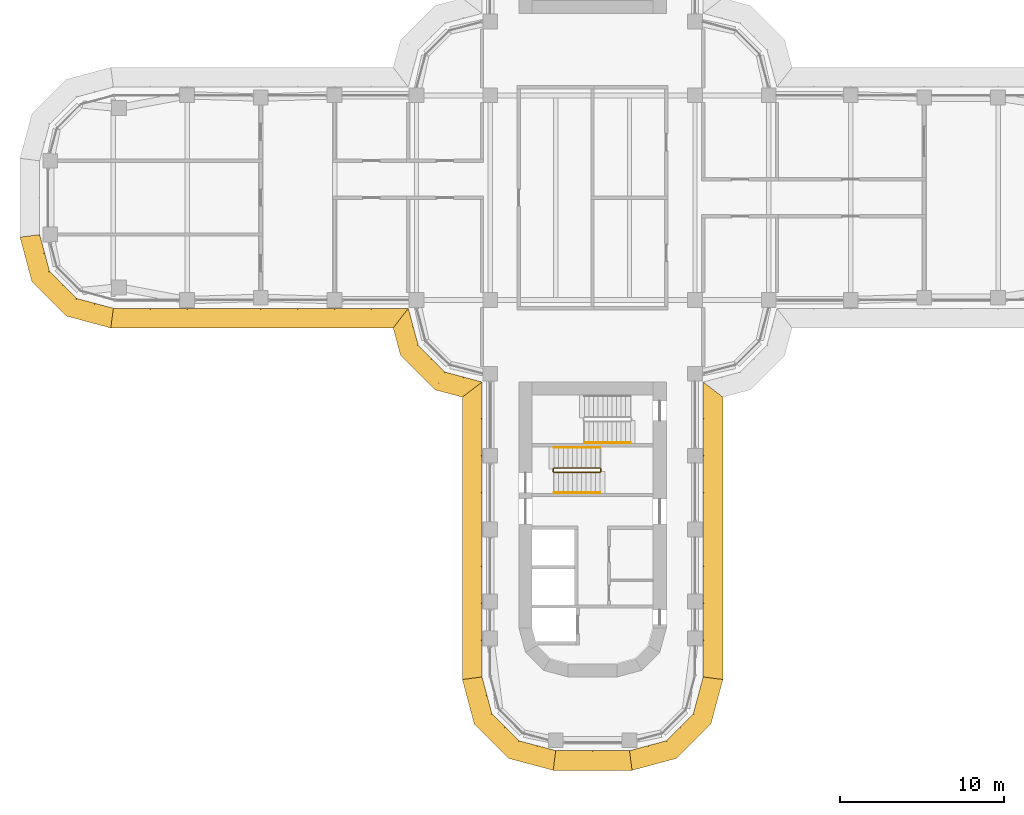
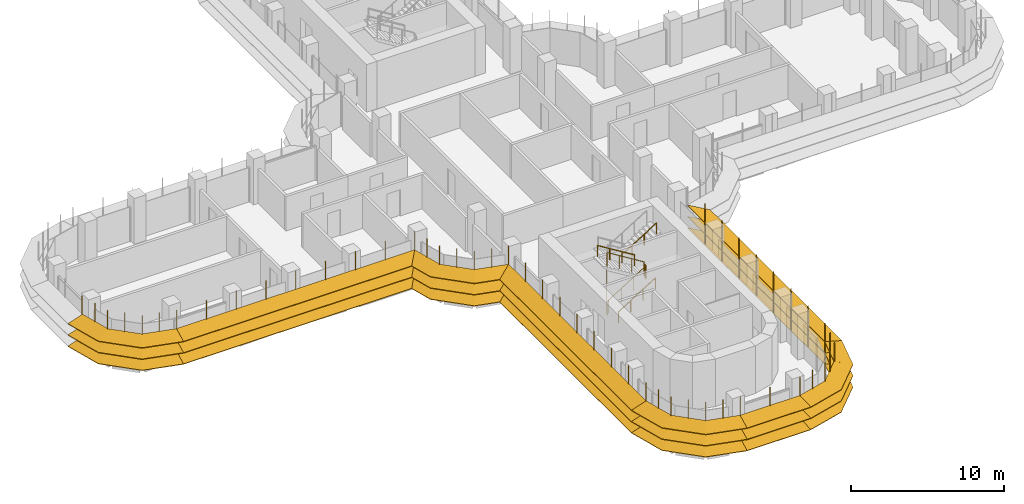
# One storey, part 19 of 22: 8 shading devices, 4 railings.
"""IFC4 building model written with IfcOpenShell, lengths in metres."""

from ifc_helpers import new_model, si_unit, direction, frame, origin, origin_2d, place, context, subcontext, project, spatial, polyline, circle, outline, extrude, faceted_brep, source, transform, mapped, material, type_object, element, save


model = new_model("IFC4")

# Units and contexts
model_context = context("Model", 3, precision=1e-05, world=origin(), true_north=direction((0.0, 1.0)))
body_context = subcontext(model_context, "Body", "Model", "MODEL_VIEW")
ifc_project = project(units=[si_unit("LENGTHUNIT", "METRE"), si_unit("AREAUNIT", "SQUARE_METRE"), si_unit("VOLUMEUNIT", "CUBIC_METRE"), si_unit("PLANEANGLEUNIT", "RADIAN"), si_unit("MASSUNIT", "GRAM", prefix="KILO")], contexts=[model_context])

# Site, building, storey
site_placement = place(None, origin())
site = spatial("IfcSite", under=ifc_project, at=site_placement, CompositionType="ELEMENT")
building_placement = place(site_placement, origin())
building = spatial("IfcBuilding", under=site, at=building_placement, Name="Zarbagh Exchange Tower", CompositionType="ELEMENT")
storey_placement = place(building_placement, frame((0.0, 0.0, 105.60009765625)))
storey = spatial("IfcBuildingStorey", under=building, at=storey_placement, Name="L24", CompositionType="ELEMENT", Elevation=105.60009765625)

# Railings
ifc_material_1 = material(Name="Stainless steel", Category="steel")
railing_type_1 = type_object("IfcRailingType", Name="Stair guard 1100 mm", PredefinedType="GUARDRAIL", material=ifc_material_1)
railing_1_placement = place(storey_placement, frame((0.449951171875, -16.5, 2.072509765625)))
element("IfcRailing", 1, at=railing_1_placement, inside=storey, type_object=railing_type_1, Name="ST3 stair guard 1", PredefinedType="GUARDRAIL", context=body_context, shape_type="SweptSolid", body=[
    extrude(circle(Radius=0.02392578125, at=origin_2d()), frame((0.0, 0.0, 1.076171875), z_axis=(-0.851089632645, 0.0, 0.525020415988), x_axis=(0.0, -1.0, 0.0)), (0.0, 0.0, 1.0), 3.2900390625),
    extrude(circle(Radius=0.02392578125, at=origin_2d()), frame((-2.800048828125, 0.0, 2.80322265625), z_axis=(-0.013104908129, -0.013169147875, -0.999827402569), x_axis=(0.708833529934, -0.705375805398, 0.0)), (0.0, 0.0, 1.0), 3.800537109375),
    extrude(circle(Radius=0.02392578125, at=origin_2d()), frame((-2.849853515625, -0.050048828125, -0.99658203125), z_axis=(0.0, -1.0, 0.0), x_axis=(1.0, 0.0, 0.0)), (0.0, 0.0, 1.0), 0.14990234375),
    extrude(circle(Radius=0.02392578125, at=origin_2d()), frame((-2.849853515625, -0.199951171875, -0.99658203125), z_axis=(0.267062837333, -0.268371968888, 0.925556009775), x_axis=(0.708833529934, 0.705375805398, 0.0)), (0.0, 0.0, 1.0), 0.1865234375),
    extrude(circle(Radius=0.02392578125, at=origin_2d()), frame((-2.800048828125, -0.25, -0.82373046875), z_axis=(0.851089632645, 0.0, 0.525020415988), x_axis=(0.0, 1.0, 0.0)), (0.0, 0.0, 1.0), 3.2900390625),
    extrude(circle(Radius=0.02392578125, at=origin_2d()), frame((0.0, -0.25, 0.9033203125), z_axis=(0.707106781187, 0.707106781187, 0.0), x_axis=(-0.707106781187, 0.707106781187, 0.0)), (0.0, 0.0, 1.0), 0.07080078125),
    extrude(circle(Radius=0.02392578125, at=origin_2d()), frame((0.050048828125, -0.199951171875, 0.9033203125), z_axis=(0.0, 1.0, 0.0), x_axis=(-1.0, 0.0, 0.0)), (0.0, 0.0, 1.0), 0.14990234375),
    extrude(circle(Radius=0.02099609375, at=origin_2d()), origin(), (0.0, 0.0, 1.0), 1.052001953125),
    extrude(circle(Radius=0.02099609375, at=origin_2d()), frame((-0.933349609375, 0.0, 0.57568359375)), (0.0, 0.0, 1.0), 1.052001953125),
    extrude(circle(Radius=0.02099609375, at=origin_2d()), frame((-1.86669921875, 0.0, 1.151611328125)), (0.0, 0.0, 1.0), 1.052001953125),
    extrude(circle(Radius=0.02099609375, at=origin_2d()), frame((-2.800048828125, 0.0, 1.727294921875)), (0.0, 0.0, 1.0), 1.052001953125),
    extrude(circle(Radius=0.02099609375, at=origin_2d()), frame((-2.8125, -0.012451171875, 0.77734375)), (0.0, 0.0, 1.0), 1.052001953125),
    extrude(circle(Radius=0.02099609375, at=origin_2d()), frame((-2.824951171875, -0.02490234375, -0.172607421875)), (0.0, 0.0, 1.0), 1.052001953125),
    extrude(circle(Radius=0.02099609375, at=origin_2d()), frame((-2.83740234375, -0.03759765625, -1.12255859375)), (0.0, 0.0, 1.0), 1.052001953125),
    extrude(circle(Radius=0.02099609375, at=origin_2d()), frame((-2.849853515625, -0.050048828125, -2.072509765625)), (0.0, 0.0, 1.0), 1.052001953125),
    extrude(circle(Radius=0.02099609375, at=origin_2d()), frame((-2.849853515625, -0.199951171875, -2.072509765625)), (0.0, 0.0, 1.0), 1.052001953125),
    extrude(circle(Radius=0.02099609375, at=origin_2d()), frame((-2.800048828125, -0.25, -1.89990234375)), (0.0, 0.0, 1.0), 1.052001953125),
    extrude(circle(Radius=0.02099609375, at=origin_2d()), frame((-1.86669921875, -0.25, -1.32421875)), (0.0, 0.0, 1.0), 1.052001953125),
    extrude(circle(Radius=0.02099609375, at=origin_2d()), frame((-0.933349609375, -0.25, -0.748291015625)), (0.0, 0.0, 1.0), 1.052001953125),
    extrude(circle(Radius=0.02099609375, at=origin_2d()), frame((0.0, -0.25, -0.172607421875)), (0.0, 0.0, 1.0), 1.052001953125),
    extrude(circle(Radius=0.02099609375, at=origin_2d()), frame((0.050048828125, -0.199951171875, -0.172607421875)), (0.0, 0.0, 1.0), 1.052001953125),
    extrude(circle(Radius=0.02099609375, at=origin_2d()), frame((0.050048828125, -0.050048828125, -0.172607421875)), (0.0, 0.0, 1.0), 1.052001953125),
])
railing_type_2 = type_object("IfcRailingType", Name="Stair handrail 900 mm", PredefinedType="HANDRAIL", material=ifc_material_1)
railing_2_placement = place(storey_placement, frame((-2.35009765625, -18.0, 0.172607421875)))
element("IfcRailing", 2, at=railing_2_placement, inside=storey, type_object=railing_type_2, Name="ST3 stair handrail 1", PredefinedType="HANDRAIL", context=body_context, shape_type="SweptSolid", body=[
    extrude(circle(Radius=0.02392578125, at=origin_2d()), frame((0.0, 0.0, 0.8759765625), z_axis=(0.851089632645, 0.0, 0.525020415988), x_axis=(0.0, 1.0, 0.0)), (0.0, 0.0, 1.0), 3.2900390625),
    extrude(circle(Radius=0.02099609375, at=origin_2d()), origin(), (0.0, 0.0, 1.0), 0.851806640625),
    extrude(circle(Radius=0.02099609375, at=origin_2d()), frame((0.933349609375, 0.0, 0.57568359375)), (0.0, 0.0, 1.0), 0.851806640625),
    extrude(circle(Radius=0.02099609375, at=origin_2d()), frame((1.86669921875, 0.0, 1.151611328125)), (0.0, 0.0, 1.0), 0.851806640625),
    extrude(circle(Radius=0.02099609375, at=origin_2d()), frame((2.800048828125, 0.0, 1.727294921875)), (0.0, 0.0, 1.0), 0.851806640625),
])
railing_3_placement = place(storey_placement, frame((0.449951171875, -15.25, 2.072509765625)))
element("IfcRailing", 3, at=railing_3_placement, inside=storey, type_object=railing_type_2, Name="ST3 stair handrail 2", PredefinedType="HANDRAIL", context=body_context, shape_type="SweptSolid", body=[
    extrude(circle(Radius=0.02392578125, at=origin_2d()), frame((0.0, 0.0, 0.8759765625), z_axis=(-0.851089632645, 0.0, 0.525020415988), x_axis=(0.0, -1.0, 0.0)), (0.0, 0.0, 1.0), 3.2900390625),
    extrude(circle(Radius=0.02099609375, at=origin_2d()), origin(), (0.0, 0.0, 1.0), 0.851806640625),
    extrude(circle(Radius=0.02099609375, at=origin_2d()), frame((-0.933349609375, 0.0, 0.57568359375)), (0.0, 0.0, 1.0), 0.851806640625),
    extrude(circle(Radius=0.02099609375, at=origin_2d()), frame((-1.86669921875, 0.0, 1.151611328125)), (0.0, 0.0, 1.0), 0.851806640625),
    extrude(circle(Radius=0.02099609375, at=origin_2d()), frame((-2.800048828125, 0.0, 1.727294921875)), (0.0, 0.0, 1.0), 0.851806640625),
])
railing_4_placement = place(storey_placement, frame((-0.5, -14.949951171875, 2.072509765625)))
element("IfcRailing", 4, at=railing_4_placement, inside=storey, type_object=railing_type_2, Name="ST4 stair handrail 2", PredefinedType="HANDRAIL", context=body_context, shape_type="SweptSolid", body=[
    extrude(circle(Radius=0.02392578125, at=origin_2d()), frame((0.0, 0.0, 0.8759765625), z_axis=(0.851089632645, 0.0, 0.525020415988), x_axis=(0.0, 1.0, 0.0)), (0.0, 0.0, 1.0), 3.2900390625),
    extrude(circle(Radius=0.02099609375, at=origin_2d()), origin(), (0.0, 0.0, 1.0), 0.851806640625),
    extrude(circle(Radius=0.02099609375, at=origin_2d()), frame((0.933349609375, 0.0, 0.57568359375)), (0.0, 0.0, 1.0), 0.851806640625),
    extrude(circle(Radius=0.02099609375, at=origin_2d()), frame((1.86669921875, 0.0, 1.151611328125)), (0.0, 0.0, 1.0), 0.851806640625),
    extrude(circle(Radius=0.02099609375, at=origin_2d()), frame((2.800048828125, 0.0, 1.727294921875)), (0.0, 0.0, 1.0), 0.851806640625),
])

# Shading devices
ifc_material_2 = material(Name="Anodised aluminium blades and brackets", Category="aluminium")
shading_device_type = type_object("IfcShadingDeviceType", Name="SUNSHADE louvre band, 11.25 degree blades", PredefinedType="JALOUSIE", material=ifc_material_2)
shared_shape_1 = source(origin(), body_context, "Body", "Brep", [
    faceted_brep([(0.0, 0.0, 0.0), (0.0, 0.0, -0.040771484375), (-0.157958984375, -1.199951171875, -0.279541015625), (-0.157958984375, -1.199951171875, -0.23876953125), (2.65087890625, -1.199951171875, -0.23876953125), (2.65087890625, -1.199951171875, -0.279541015625), (2.329345703125, 0.0, -0.040771484375), (2.329345703125, 0.0, 0.0)], [[[0, 1, 2, 3]], [[4, 5, 6, 7]], [[0, 7, 6, 1]], [[1, 6, 5, 2]], [[2, 5, 4, 3]], [[3, 4, 7, 0]]]),
])
shared_shape_2 = source(origin(), body_context, "Body", "Brep", [
    faceted_brep([(0.0, 0.0, 0.0), (0.0, 0.0, -0.040771484375), (-0.321533203125, -1.199951171875, -0.279541015625), (-0.321533203125, -1.199951171875, -0.23876953125), (2.65087890625, -1.199951171875, -0.23876953125), (2.65087890625, -1.199951171875, -0.279541015625), (2.329345703125, 0.0, -0.040771484375), (2.329345703125, 0.0, 0.0)], [[[0, 1, 2, 3]], [[4, 5, 6, 7]], [[0, 7, 6, 1]], [[1, 6, 5, 2]], [[2, 5, 4, 3]], [[3, 4, 7, 0]]]),
])
shared_shape_3 = source(origin(), body_context, "Body", "Brep", [
    faceted_brep([(0.0, 0.0, 0.0), (0.0, 0.0, -0.040771484375), (-0.321533203125, -1.199951171875, -0.279541015625), (-0.321533203125, -1.199951171875, -0.23876953125), (2.4873046875, -1.199951171875, -0.23876953125), (2.4873046875, -1.199951171875, -0.279541015625), (2.329345703125, 0.0, -0.040771484375), (2.329345703125, 0.0, 0.0)], [[[0, 1, 2, 3]], [[4, 5, 6, 7]], [[0, 7, 6, 1]], [[1, 6, 5, 2]], [[2, 5, 4, 3]], [[3, 4, 7, 0]]]),
])
shared_shape_4 = source(origin(), body_context, "Body", "SweptSolid", [
    extrude(outline(polyline([(0.0, -0.012451171875), (0.06005859375, -0.012451171875), (0.06005859375, 0.012451171875), (0.0, 0.012451171875), (0.0, -0.012451171875)])), origin(), (0.0, 0.0, 1.0), 3.350830078125),
])
placement = place(storey_placement, origin())
element("IfcShadingDevice", 5, at=placement, inside=storey, type_object=shading_device_type, Name="SS01 sunshade band", PredefinedType="JALOUSIE", context=body_context, shape_type="MappedRepresentation", body=[
    mapped(shared_shape_1, transform((2.25, -33.75, 2.2998046875), x_axis=(0.965924289636, 0.258824779902, 0.0), y_axis=(-0.258824779902, 0.965924289636, 0.0), z_axis=(0.0, 0.0, 1.0))),
    mapped(shared_shape_1, transform((2.25, -33.75, 1.39990234375), x_axis=(0.965924289636, 0.258824779902, 0.0), y_axis=(-0.258824779902, 0.965924289636, 0.0), z_axis=(0.0, 0.0, 1.0))),
    mapped(shared_shape_1, transform((2.25, -33.75, 0.5), x_axis=(0.965924289636, 0.258824779902, 0.0), y_axis=(-0.258824779902, 0.965924289636, 0.0), z_axis=(0.0, 0.0, 1.0))),
    mapped(shared_shape_2, transform((4.5, -33.147216796875, 2.2998046875), x_axis=(0.707106781187, 0.707106781187, 0.0), y_axis=(-0.707106781187, 0.707106781187, 0.0), z_axis=(0.0, 0.0, 1.0))),
    mapped(shared_shape_2, transform((4.5, -33.147216796875, 1.39990234375), x_axis=(0.707106781187, 0.707106781187, 0.0), y_axis=(-0.707106781187, 0.707106781187, 0.0), z_axis=(0.0, 0.0, 1.0))),
    mapped(shared_shape_2, transform((4.5, -33.147216796875, 0.5), x_axis=(0.707106781187, 0.707106781187, 0.0), y_axis=(-0.707106781187, 0.707106781187, 0.0), z_axis=(0.0, 0.0, 1.0))),
    mapped(shared_shape_3, transform((6.147216796875, -31.5, 2.2998046875), x_axis=(0.258824779902, 0.965924289636, 0.0), y_axis=(-0.965924289636, 0.258824779902, 0.0), z_axis=(0.0, 0.0, 1.0))),
    mapped(shared_shape_3, transform((6.147216796875, -31.5, 1.39990234375), x_axis=(0.258824779902, 0.965924289636, 0.0), y_axis=(-0.965924289636, 0.258824779902, 0.0), z_axis=(0.0, 0.0, 1.0))),
    mapped(shared_shape_3, transform((6.147216796875, -31.5, 0.5), x_axis=(0.258824779902, 0.965924289636, 0.0), y_axis=(-0.965924289636, 0.258824779902, 0.0), z_axis=(0.0, 0.0, 1.0))),
    mapped(shared_shape_4, transform((2.25, -33.75, 0.42919921875), x_axis=(0.130529263012, -0.991444457092, 0.0), y_axis=(0.991444457092, 0.130529263012, 0.0), z_axis=(0.0, 0.0, 1.0))),
    mapped(shared_shape_4, transform((3.375, -33.448486328125, 0.42919921875), x_axis=(0.258825058029, -0.96592421511, 0.0), y_axis=(0.96592421511, 0.258825058029, 0.0), z_axis=(0.0, 0.0, 1.0))),
    mapped(shared_shape_4, transform((4.5, -33.147216796875, 0.42919921875), x_axis=(0.50000275701, -0.866023812018, 0.0), y_axis=(0.866023812018, 0.50000275701, 0.0), z_axis=(0.0, 0.0, 1.0))),
    mapped(shared_shape_4, transform((5.323486328125, -32.323486328125, 0.42919921875), x_axis=(0.707106781187, -0.707106781187, 0.0), y_axis=(0.707106781187, 0.707106781187, 0.0), z_axis=(0.0, 0.0, 1.0))),
    mapped(shared_shape_4, transform((6.147216796875, -31.5, 0.42919921875), x_axis=(0.866023812018, -0.50000275701, 0.0), y_axis=(0.50000275701, 0.866023812018, 0.0), z_axis=(0.0, 0.0, 1.0))),
    mapped(shared_shape_4, transform((6.448486328125, -30.375, 0.42919921875), x_axis=(0.96592421511, -0.258825058029, 0.0), y_axis=(0.258825058029, 0.96592421511, 0.0), z_axis=(0.0, 0.0, 1.0))),
])
element("IfcShadingDevice", 6, at=placement, inside=storey, type_object=shading_device_type, Name="SS19 sunshade band", PredefinedType="JALOUSIE", context=body_context, shape_type="MappedRepresentation", body=[
    mapped(shared_shape_1, transform((-33.75, -2.25, 2.2998046875), x_axis=(0.258824779902, -0.965924289636, 0.0), y_axis=(0.965924289636, 0.258824779902, 0.0), z_axis=(0.0, 0.0, 1.0))),
    mapped(shared_shape_1, transform((-33.75, -2.25, 1.39990234375), x_axis=(0.258824779902, -0.965924289636, 0.0), y_axis=(0.965924289636, 0.258824779902, 0.0), z_axis=(0.0, 0.0, 1.0))),
    mapped(shared_shape_1, transform((-33.75, -2.25, 0.5), x_axis=(0.258824779902, -0.965924289636, 0.0), y_axis=(0.965924289636, 0.258824779902, 0.0), z_axis=(0.0, 0.0, 1.0))),
    mapped(shared_shape_2, transform((-33.147216796875, -4.5, 2.2998046875), x_axis=(0.707106781187, -0.707106781187, 0.0), y_axis=(0.707106781187, 0.707106781187, 0.0), z_axis=(0.0, 0.0, 1.0))),
    mapped(shared_shape_2, transform((-33.147216796875, -4.5, 1.39990234375), x_axis=(0.707106781187, -0.707106781187, 0.0), y_axis=(0.707106781187, 0.707106781187, 0.0), z_axis=(0.0, 0.0, 1.0))),
    mapped(shared_shape_2, transform((-33.147216796875, -4.5, 0.5), x_axis=(0.707106781187, -0.707106781187, 0.0), y_axis=(0.707106781187, 0.707106781187, 0.0), z_axis=(0.0, 0.0, 1.0))),
    mapped(shared_shape_3, transform((-31.5, -6.147216796875, 2.2998046875), x_axis=(0.965924289636, -0.258824779902, 0.0), y_axis=(0.258824779902, 0.965924289636, 0.0), z_axis=(0.0, 0.0, 1.0))),
    mapped(shared_shape_3, transform((-31.5, -6.147216796875, 1.39990234375), x_axis=(0.965924289636, -0.258824779902, 0.0), y_axis=(0.258824779902, 0.965924289636, 0.0), z_axis=(0.0, 0.0, 1.0))),
    mapped(shared_shape_3, transform((-31.5, -6.147216796875, 0.5), x_axis=(0.965924289636, -0.258824779902, 0.0), y_axis=(0.258824779902, 0.965924289636, 0.0), z_axis=(0.0, 0.0, 1.0))),
    mapped(shared_shape_4, transform((-33.75, -2.25, 0.42919921875), x_axis=(-0.991444457092, -0.130529263012, 0.0), y_axis=(0.130529263012, -0.991444457092, 0.0), z_axis=(0.0, 0.0, 1.0))),
    mapped(shared_shape_4, transform((-33.448486328125, -3.375, 0.42919921875), x_axis=(-0.96592421511, -0.258825058029, 0.0), y_axis=(0.258825058029, -0.96592421511, 0.0), z_axis=(0.0, 0.0, 1.0))),
    mapped(shared_shape_4, transform((-33.147216796875, -4.5, 0.42919921875), x_axis=(-0.866023812018, -0.50000275701, 0.0), y_axis=(0.50000275701, -0.866023812018, 0.0), z_axis=(0.0, 0.0, 1.0))),
    mapped(shared_shape_4, transform((-32.323486328125, -5.323486328125, 0.42919921875), x_axis=(-0.707106781187, -0.707106781187, 0.0), y_axis=(0.707106781187, -0.707106781187, 0.0), z_axis=(0.0, 0.0, 1.0))),
    mapped(shared_shape_4, transform((-31.5, -6.147216796875, 0.42919921875), x_axis=(-0.50000275701, -0.866023812018, 0.0), y_axis=(0.866023812018, -0.50000275701, 0.0), z_axis=(0.0, 0.0, 1.0))),
    mapped(shared_shape_4, transform((-30.375, -6.448486328125, 0.42919921875), x_axis=(-0.258825058029, -0.96592421511, 0.0), y_axis=(0.96592421511, -0.258825058029, 0.0), z_axis=(0.0, 0.0, 1.0))),
])
element("IfcShadingDevice", 7, at=placement, inside=storey, type_object=shading_device_type, Name="SS23 sunshade band", PredefinedType="JALOUSIE", context=body_context, shape_type="MappedRepresentation", body=[
    mapped(shared_shape_1, transform((-6.75, -29.25, 2.2998046875), x_axis=(0.258824779902, -0.965924289636, 0.0), y_axis=(0.965924289636, 0.258824779902, 0.0), z_axis=(0.0, 0.0, 1.0))),
    mapped(shared_shape_1, transform((-6.75, -29.25, 1.39990234375), x_axis=(0.258824779902, -0.965924289636, 0.0), y_axis=(0.965924289636, 0.258824779902, 0.0), z_axis=(0.0, 0.0, 1.0))),
    mapped(shared_shape_1, transform((-6.75, -29.25, 0.5), x_axis=(0.258824779902, -0.965924289636, 0.0), y_axis=(0.965924289636, 0.258824779902, 0.0), z_axis=(0.0, 0.0, 1.0))),
    mapped(shared_shape_2, transform((-6.147216796875, -31.5, 2.2998046875), x_axis=(0.707106781187, -0.707106781187, 0.0), y_axis=(0.707106781187, 0.707106781187, 0.0), z_axis=(0.0, 0.0, 1.0))),
    mapped(shared_shape_2, transform((-6.147216796875, -31.5, 1.39990234375), x_axis=(0.707106781187, -0.707106781187, 0.0), y_axis=(0.707106781187, 0.707106781187, 0.0), z_axis=(0.0, 0.0, 1.0))),
    mapped(shared_shape_2, transform((-6.147216796875, -31.5, 0.5), x_axis=(0.707106781187, -0.707106781187, 0.0), y_axis=(0.707106781187, 0.707106781187, 0.0), z_axis=(0.0, 0.0, 1.0))),
    mapped(shared_shape_3, transform((-4.5, -33.147216796875, 2.2998046875), x_axis=(0.965924289636, -0.258824779902, 0.0), y_axis=(0.258824779902, 0.965924289636, 0.0), z_axis=(0.0, 0.0, 1.0))),
    mapped(shared_shape_3, transform((-4.5, -33.147216796875, 1.39990234375), x_axis=(0.965924289636, -0.258824779902, 0.0), y_axis=(0.258824779902, 0.965924289636, 0.0), z_axis=(0.0, 0.0, 1.0))),
    mapped(shared_shape_3, transform((-4.5, -33.147216796875, 0.5), x_axis=(0.965924289636, -0.258824779902, 0.0), y_axis=(0.258824779902, 0.965924289636, 0.0), z_axis=(0.0, 0.0, 1.0))),
    mapped(shared_shape_4, transform((-6.75, -29.25, 0.42919921875), x_axis=(-0.991444457092, -0.130529263012, 0.0), y_axis=(0.130529263012, -0.991444457092, 0.0), z_axis=(0.0, 0.0, 1.0))),
    mapped(shared_shape_4, transform((-6.448486328125, -30.375, 0.42919921875), x_axis=(-0.96592421511, -0.258825058029, 0.0), y_axis=(0.258825058029, -0.96592421511, 0.0), z_axis=(0.0, 0.0, 1.0))),
    mapped(shared_shape_4, transform((-6.147216796875, -31.5, 0.42919921875), x_axis=(-0.866023812018, -0.50000275701, 0.0), y_axis=(0.50000275701, -0.866023812018, 0.0), z_axis=(0.0, 0.0, 1.0))),
    mapped(shared_shape_4, transform((-5.323486328125, -32.323486328125, 0.42919921875), x_axis=(-0.707106781187, -0.707106781187, 0.0), y_axis=(0.707106781187, -0.707106781187, 0.0), z_axis=(0.0, 0.0, 1.0))),
    mapped(shared_shape_4, transform((-4.5, -33.147216796875, 0.42919921875), x_axis=(-0.50000275701, -0.866023812018, 0.0), y_axis=(0.866023812018, -0.50000275701, 0.0), z_axis=(0.0, 0.0, 1.0))),
    mapped(shared_shape_4, transform((-3.375, -33.448486328125, 0.42919921875), x_axis=(-0.258825058029, -0.96592421511, 0.0), y_axis=(0.96592421511, -0.258825058029, 0.0), z_axis=(0.0, 0.0, 1.0))),
])
shared_shape_5 = source(origin(), body_context, "Body", "Brep", [
    faceted_brep([(0.0, 0.0, 0.0), (0.0, 0.0, -0.040771484375), (0.9208984375, -1.199951171875, -0.279541015625), (0.9208984375, -1.199951171875, -0.23876953125), (2.65087890625, -1.199951171875, -0.23876953125), (2.65087890625, -1.199951171875, -0.279541015625), (2.329345703125, 0.0, -0.040771484375), (2.329345703125, 0.0, 0.0)], [[[0, 1, 2, 3]], [[4, 5, 6, 7]], [[0, 7, 6, 1]], [[1, 6, 5, 2]], [[2, 5, 4, 3]], [[3, 4, 7, 0]]]),
])
shared_shape_6 = source(origin(), body_context, "Body", "Brep", [
    faceted_brep([(0.0, 0.0, 0.0), (0.0, 0.0, -0.040771484375), (-0.321533203125, -1.199951171875, -0.279541015625), (-0.321533203125, -1.199951171875, -0.23876953125), (1.40869140625, -1.199951171875, -0.23876953125), (1.40869140625, -1.199951171875, -0.279541015625), (2.329345703125, 0.0, -0.040771484375), (2.329345703125, 0.0, 0.0)], [[[0, 1, 2, 3]], [[4, 5, 6, 7]], [[0, 7, 6, 1]], [[1, 6, 5, 2]], [[2, 5, 4, 3]], [[3, 4, 7, 0]]]),
])
element("IfcShadingDevice", 8, at=placement, inside=storey, type_object=shading_device_type, Name="SS21 sunshade band", PredefinedType="JALOUSIE", context=body_context, shape_type="MappedRepresentation", body=[
    mapped(shared_shape_5, transform((-11.25, -6.75, 2.2998046875), x_axis=(0.258824779902, -0.965924289636, 0.0), y_axis=(0.965924289636, 0.258824779902, 0.0), z_axis=(0.0, 0.0, 1.0))),
    mapped(shared_shape_5, transform((-11.25, -6.75, 1.39990234375), x_axis=(0.258824779902, -0.965924289636, 0.0), y_axis=(0.965924289636, 0.258824779902, 0.0), z_axis=(0.0, 0.0, 1.0))),
    mapped(shared_shape_5, transform((-11.25, -6.75, 0.5), x_axis=(0.258824779902, -0.965924289636, 0.0), y_axis=(0.965924289636, 0.258824779902, 0.0), z_axis=(0.0, 0.0, 1.0))),
    mapped(shared_shape_2, transform((-10.647216796875, -9.0, 2.2998046875), x_axis=(0.707106781187, -0.707106781187, 0.0), y_axis=(0.707106781187, 0.707106781187, 0.0), z_axis=(0.0, 0.0, 1.0))),
    mapped(shared_shape_2, transform((-10.647216796875, -9.0, 1.39990234375), x_axis=(0.707106781187, -0.707106781187, 0.0), y_axis=(0.707106781187, 0.707106781187, 0.0), z_axis=(0.0, 0.0, 1.0))),
    mapped(shared_shape_2, transform((-10.647216796875, -9.0, 0.5), x_axis=(0.707106781187, -0.707106781187, 0.0), y_axis=(0.707106781187, 0.707106781187, 0.0), z_axis=(0.0, 0.0, 1.0))),
    mapped(shared_shape_6, transform((-9.0, -10.647216796875, 2.2998046875), x_axis=(0.965924289636, -0.258824779902, 0.0), y_axis=(0.258824779902, 0.965924289636, 0.0), z_axis=(0.0, 0.0, 1.0))),
    mapped(shared_shape_6, transform((-9.0, -10.647216796875, 1.39990234375), x_axis=(0.965924289636, -0.258824779902, 0.0), y_axis=(0.258824779902, 0.965924289636, 0.0), z_axis=(0.0, 0.0, 1.0))),
    mapped(shared_shape_6, transform((-9.0, -10.647216796875, 0.5), x_axis=(0.965924289636, -0.258824779902, 0.0), y_axis=(0.258824779902, 0.965924289636, 0.0), z_axis=(0.0, 0.0, 1.0))),
    mapped(shared_shape_4, transform((-11.25, -6.75, 0.42919921875), x_axis=(-0.608758892, -0.793355287, 0.0), y_axis=(0.793355287, -0.608758892, 0.0), z_axis=(0.0, 0.0, 1.0))),
    mapped(shared_shape_4, transform((-10.948486328125, -7.875, 0.42919921875), x_axis=(-0.96592421511, -0.258825058029, 0.0), y_axis=(0.258825058029, -0.96592421511, 0.0), z_axis=(0.0, 0.0, 1.0))),
    mapped(shared_shape_4, transform((-10.647216796875, -9.0, 0.42919921875), x_axis=(-0.866023812018, -0.50000275701, 0.0), y_axis=(0.50000275701, -0.866023812018, 0.0), z_axis=(0.0, 0.0, 1.0))),
    mapped(shared_shape_4, transform((-9.823486328125, -9.823486328125, 0.42919921875), x_axis=(-0.707106781187, -0.707106781187, 0.0), y_axis=(0.707106781187, -0.707106781187, 0.0), z_axis=(0.0, 0.0, 1.0))),
    mapped(shared_shape_4, transform((-9.0, -10.647216796875, 0.42919921875), x_axis=(-0.50000275701, -0.866023812018, 0.0), y_axis=(0.866023812018, -0.50000275701, 0.0), z_axis=(0.0, 0.0, 1.0))),
    mapped(shared_shape_4, transform((-7.875, -10.948486328125, 0.42919921875), x_axis=(-0.258825058029, -0.96592421511, 0.0), y_axis=(0.96592421511, -0.258825058029, 0.0), z_axis=(0.0, 0.0, 1.0))),
])
shared_shape_7 = source(origin(), body_context, "Body", "Brep", [
    faceted_brep([(0.0, 0.0, 0.0), (0.0, 0.0, -0.040771484375), (-0.157958984375, -1.199951171875, -0.279541015625), (-0.157958984375, -1.199951171875, -0.23876953125), (17.0791015625, -1.199951171875, -0.23876953125), (17.0791015625, -1.199951171875, -0.279541015625), (18.0, 0.0, -0.040771484375), (18.0, 0.0, 0.0)], [[[0, 1, 2, 3]], [[4, 5, 6, 7]], [[0, 7, 6, 1]], [[1, 6, 5, 2]], [[2, 5, 4, 3]], [[3, 4, 7, 0]]]),
])
element("IfcShadingDevice", 9, at=placement, inside=storey, type_object=shading_device_type, Name="SS02 sunshade band", PredefinedType="JALOUSIE", context=body_context, shape_type="MappedRepresentation", body=[
    mapped(shared_shape_7, transform((6.75, -29.25, 2.2998046875), x_axis=(0.0, 1.0, 0.0), y_axis=(-1.0, 0.0, 0.0), z_axis=(0.0, 0.0, 1.0))),
    mapped(shared_shape_7, transform((6.75, -29.25, 1.39990234375), x_axis=(0.0, 1.0, 0.0), y_axis=(-1.0, 0.0, 0.0), z_axis=(0.0, 0.0, 1.0))),
    mapped(shared_shape_7, transform((6.75, -29.25, 0.5), x_axis=(0.0, 1.0, 0.0), y_axis=(-1.0, 0.0, 0.0), z_axis=(0.0, 0.0, 1.0))),
    mapped(shared_shape_4, transform((6.75, -29.25, 0.42919921875), x_axis=(0.991444457092, -0.130529263012, 0.0), y_axis=(0.130529263012, 0.991444457092, 0.0), z_axis=(0.0, 0.0, 1.0))),
    mapped(shared_shape_4, transform((6.75, -27.0, 0.42919921875), x_axis=(1.0, 0.0, 0.0), y_axis=(0.0, 1.0, 0.0), z_axis=(0.0, 0.0, 1.0))),
    mapped(shared_shape_4, transform((6.75, -24.75, 0.42919921875), x_axis=(1.0, 0.0, 0.0), y_axis=(0.0, 1.0, 0.0), z_axis=(0.0, 0.0, 1.0))),
    mapped(shared_shape_4, transform((6.75, -22.5, 0.42919921875), x_axis=(1.0, 0.0, 0.0), y_axis=(0.0, 1.0, 0.0), z_axis=(0.0, 0.0, 1.0))),
    mapped(shared_shape_4, transform((6.75, -20.25, 0.42919921875), x_axis=(1.0, 0.0, 0.0), y_axis=(0.0, 1.0, 0.0), z_axis=(0.0, 0.0, 1.0))),
    mapped(shared_shape_4, transform((6.75, -18.0, 0.42919921875), x_axis=(1.0, 0.0, 0.0), y_axis=(0.0, 1.0, 0.0), z_axis=(0.0, 0.0, 1.0))),
    mapped(shared_shape_4, transform((6.75, -15.75, 0.42919921875), x_axis=(1.0, 0.0, 0.0), y_axis=(0.0, 1.0, 0.0), z_axis=(0.0, 0.0, 1.0))),
    mapped(shared_shape_4, transform((6.75, -13.5, 0.42919921875), x_axis=(1.0, 0.0, 0.0), y_axis=(0.0, 1.0, 0.0), z_axis=(0.0, 0.0, 1.0))),
])
element("IfcShadingDevice", 10, at=placement, inside=storey, type_object=shading_device_type, Name="SS20 sunshade band", PredefinedType="JALOUSIE", context=body_context, shape_type="MappedRepresentation", body=[
    mapped(shared_shape_7, transform((-29.25, -6.75, 2.2998046875), x_axis=(1.0, 0.0, 0.0), y_axis=(0.0, 1.0, 0.0), z_axis=(0.0, 0.0, 1.0))),
    mapped(shared_shape_7, transform((-29.25, -6.75, 1.39990234375), x_axis=(1.0, 0.0, 0.0), y_axis=(0.0, 1.0, 0.0), z_axis=(0.0, 0.0, 1.0))),
    mapped(shared_shape_7, transform((-29.25, -6.75, 0.5), x_axis=(1.0, 0.0, 0.0), y_axis=(0.0, 1.0, 0.0), z_axis=(0.0, 0.0, 1.0))),
    mapped(shared_shape_4, transform((-29.25, -6.75, 0.42919921875), x_axis=(-0.130529263012, -0.991444457092, 0.0), y_axis=(0.991444457092, -0.130529263012, 0.0), z_axis=(0.0, 0.0, 1.0))),
    mapped(shared_shape_4, transform((-27.0, -6.75, 0.42919921875), x_axis=(0.0, -1.0, 0.0), y_axis=(1.0, 0.0, 0.0), z_axis=(0.0, 0.0, 1.0))),
    mapped(shared_shape_4, transform((-24.75, -6.75, 0.42919921875), x_axis=(0.0, -1.0, 0.0), y_axis=(1.0, 0.0, 0.0), z_axis=(0.0, 0.0, 1.0))),
    mapped(shared_shape_4, transform((-22.5, -6.75, 0.42919921875), x_axis=(0.0, -1.0, 0.0), y_axis=(1.0, 0.0, 0.0), z_axis=(0.0, 0.0, 1.0))),
    mapped(shared_shape_4, transform((-20.25, -6.75, 0.42919921875), x_axis=(0.0, -1.0, 0.0), y_axis=(1.0, 0.0, 0.0), z_axis=(0.0, 0.0, 1.0))),
    mapped(shared_shape_4, transform((-18.0, -6.75, 0.42919921875), x_axis=(0.0, -1.0, 0.0), y_axis=(1.0, 0.0, 0.0), z_axis=(0.0, 0.0, 1.0))),
    mapped(shared_shape_4, transform((-15.75, -6.75, 0.42919921875), x_axis=(0.0, -1.0, 0.0), y_axis=(1.0, 0.0, 0.0), z_axis=(0.0, 0.0, 1.0))),
    mapped(shared_shape_4, transform((-13.5, -6.75, 0.42919921875), x_axis=(0.0, -1.0, 0.0), y_axis=(1.0, 0.0, 0.0), z_axis=(0.0, 0.0, 1.0))),
])
shared_shape_8 = source(origin(), body_context, "Body", "Brep", [
    faceted_brep([(0.0, 0.0, 0.0), (0.0, 0.0, -0.040771484375), (0.9208984375, -1.199951171875, -0.279541015625), (0.9208984375, -1.199951171875, -0.23876953125), (18.157958984375, -1.199951171875, -0.23876953125), (18.157958984375, -1.199951171875, -0.279541015625), (18.0, 0.0, -0.040771484375), (18.0, 0.0, 0.0)], [[[0, 1, 2, 3]], [[4, 5, 6, 7]], [[0, 7, 6, 1]], [[1, 6, 5, 2]], [[2, 5, 4, 3]], [[3, 4, 7, 0]]]),
])
element("IfcShadingDevice", 11, at=placement, inside=storey, type_object=shading_device_type, Name="SS22 sunshade band", PredefinedType="JALOUSIE", context=body_context, shape_type="MappedRepresentation", body=[
    mapped(shared_shape_8, transform((-6.75, -11.25, 2.2998046875), x_axis=(0.0, -1.0, 0.0), y_axis=(1.0, 0.0, 0.0), z_axis=(0.0, 0.0, 1.0))),
    mapped(shared_shape_8, transform((-6.75, -11.25, 1.39990234375), x_axis=(0.0, -1.0, 0.0), y_axis=(1.0, 0.0, 0.0), z_axis=(0.0, 0.0, 1.0))),
    mapped(shared_shape_8, transform((-6.75, -11.25, 0.5), x_axis=(0.0, -1.0, 0.0), y_axis=(1.0, 0.0, 0.0), z_axis=(0.0, 0.0, 1.0))),
    mapped(shared_shape_4, transform((-6.75, -11.25, 0.42919921875), x_axis=(-0.793355287, -0.608758892, 0.0), y_axis=(0.608758892, -0.793355287, 0.0), z_axis=(0.0, 0.0, 1.0))),
    mapped(shared_shape_4, transform((-6.75, -13.5, 0.42919921875), x_axis=(-1.0, 0.0, 0.0), y_axis=(0.0, -1.0, 0.0), z_axis=(0.0, 0.0, 1.0))),
    mapped(shared_shape_4, transform((-6.75, -15.75, 0.42919921875), x_axis=(-1.0, 0.0, 0.0), y_axis=(0.0, -1.0, 0.0), z_axis=(0.0, 0.0, 1.0))),
    mapped(shared_shape_4, transform((-6.75, -18.0, 0.42919921875), x_axis=(-1.0, 0.0, 0.0), y_axis=(0.0, -1.0, 0.0), z_axis=(0.0, 0.0, 1.0))),
    mapped(shared_shape_4, transform((-6.75, -20.25, 0.42919921875), x_axis=(-1.0, 0.0, 0.0), y_axis=(0.0, -1.0, 0.0), z_axis=(0.0, 0.0, 1.0))),
    mapped(shared_shape_4, transform((-6.75, -22.5, 0.42919921875), x_axis=(-1.0, 0.0, 0.0), y_axis=(0.0, -1.0, 0.0), z_axis=(0.0, 0.0, 1.0))),
    mapped(shared_shape_4, transform((-6.75, -24.75, 0.42919921875), x_axis=(-1.0, 0.0, 0.0), y_axis=(0.0, -1.0, 0.0), z_axis=(0.0, 0.0, 1.0))),
    mapped(shared_shape_4, transform((-6.75, -27.0, 0.42919921875), x_axis=(-1.0, 0.0, 0.0), y_axis=(0.0, -1.0, 0.0), z_axis=(0.0, 0.0, 1.0))),
])
shared_shape_9 = source(origin(), body_context, "Body", "Brep", [
    faceted_brep([(0.0, 0.0, 0.0), (0.0, 0.0, -0.040771484375), (-0.157958984375, -1.199951171875, -0.279541015625), (-0.157958984375, -1.199951171875, -0.23876953125), (4.657958984375, -1.199951171875, -0.23876953125), (4.657958984375, -1.199951171875, -0.279541015625), (4.5, 0.0, -0.040771484375), (4.5, 0.0, 0.0)], [[[0, 1, 2, 3]], [[4, 5, 6, 7]], [[0, 7, 6, 1]], [[1, 6, 5, 2]], [[2, 5, 4, 3]], [[3, 4, 7, 0]]]),
])
element("IfcShadingDevice", 12, at=placement, inside=storey, type_object=shading_device_type, Name="SS24 sunshade band", PredefinedType="JALOUSIE", context=body_context, shape_type="MappedRepresentation", body=[
    mapped(shared_shape_9, transform((-2.25, -33.75, 2.2998046875), x_axis=(1.0, 0.0, 0.0), y_axis=(0.0, 1.0, 0.0), z_axis=(0.0, 0.0, 1.0))),
    mapped(shared_shape_9, transform((-2.25, -33.75, 1.39990234375), x_axis=(1.0, 0.0, 0.0), y_axis=(0.0, 1.0, 0.0), z_axis=(0.0, 0.0, 1.0))),
    mapped(shared_shape_9, transform((-2.25, -33.75, 0.5), x_axis=(1.0, 0.0, 0.0), y_axis=(0.0, 1.0, 0.0), z_axis=(0.0, 0.0, 1.0))),
    mapped(shared_shape_4, transform((-2.25, -33.75, 0.42919921875), x_axis=(-0.130529263012, -0.991444457092, 0.0), y_axis=(0.991444457092, -0.130529263012, 0.0), z_axis=(0.0, 0.0, 1.0))),
    mapped(shared_shape_4, transform((0.0, -33.75, 0.42919921875), x_axis=(0.0, -1.0, 0.0), y_axis=(1.0, 0.0, 0.0), z_axis=(0.0, 0.0, 1.0))),
])

save(model, "model.ifc")
